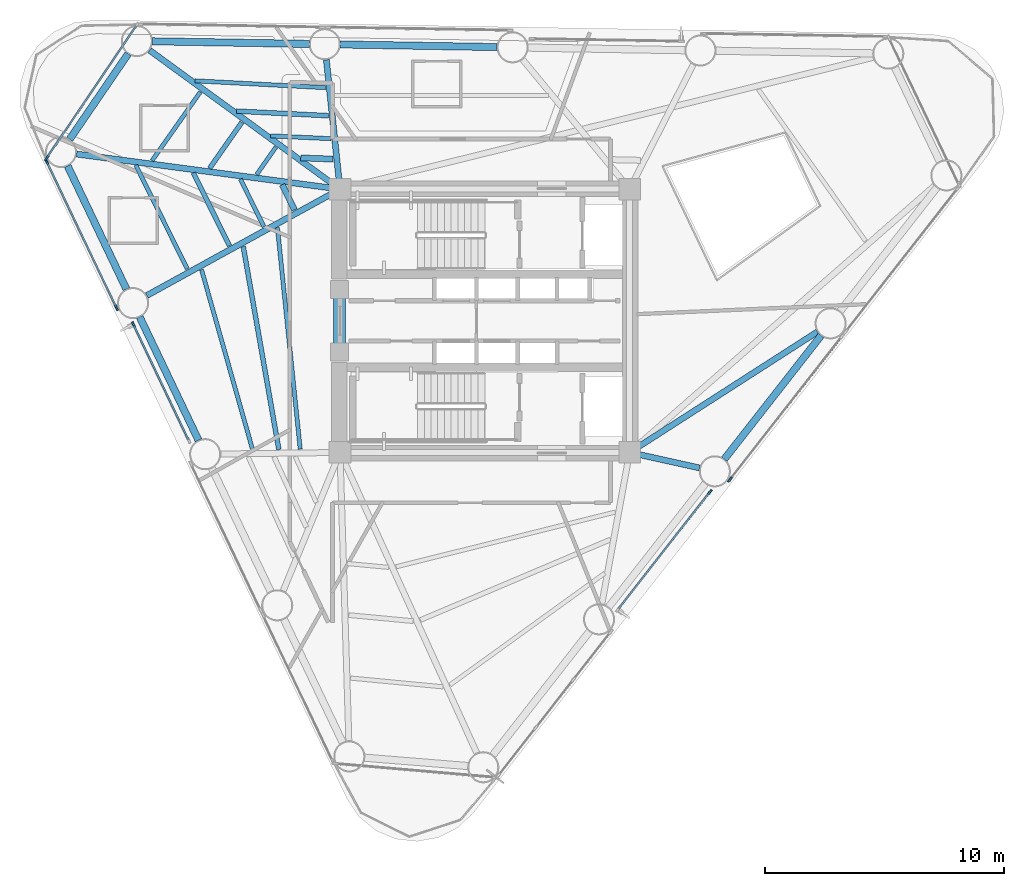
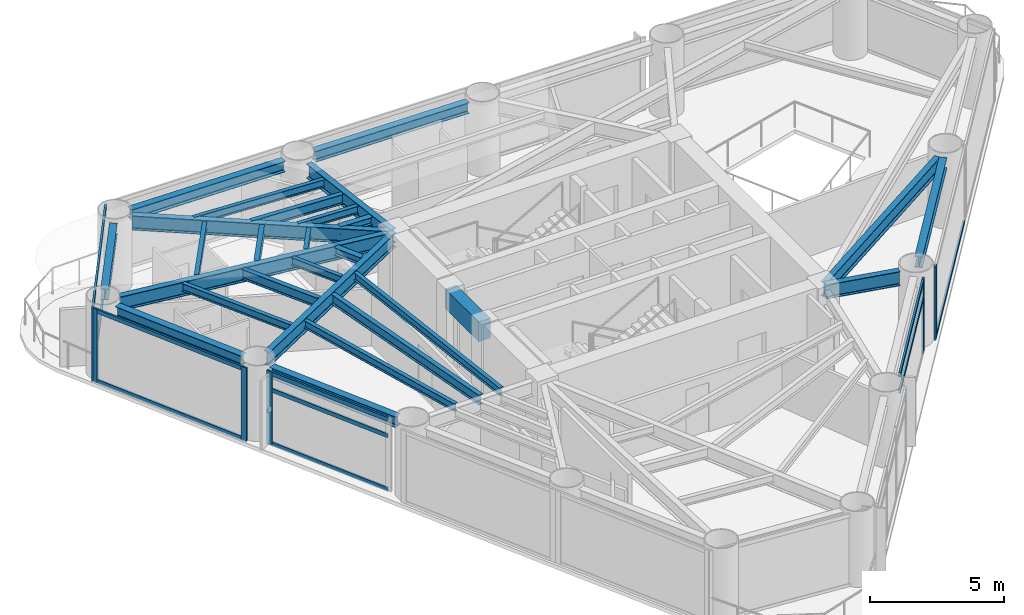
# One storey, part 3 of 10: 27 beams, 16 members, 5 elements without a shape of their own.
"""IFC4 building model written with IfcOpenShell, lengths in metres."""

from ifc_helpers import new_model, si_unit, direction, frame, origin, origin_2d, place, context, subcontext, project, spatial, rectangle, i_section, extrude, source, transform, mapped, material, layer, layer_set, material_profile, profile_set, type_object, element, aggregate, save


model = new_model("IFC4")

# Units and contexts
model_context = context("Model", 3, precision=1e-05, world=origin(), true_north=direction((0.0, 1.0)))
body_context = subcontext(model_context, "Body", "Model", "MODEL_VIEW")
ifc_project = project(units=[si_unit("LENGTHUNIT", "METRE"), si_unit("AREAUNIT", "SQUARE_METRE"), si_unit("VOLUMEUNIT", "CUBIC_METRE"), si_unit("PLANEANGLEUNIT", "RADIAN"), si_unit("MASSUNIT", "GRAM", prefix="KILO")], contexts=[model_context])

# Site, building, storey
site_placement = place(None, origin())
site = spatial("IfcSite", under=ifc_project, at=site_placement, CompositionType="ELEMENT")
building_placement = place(site_placement, origin())
building = spatial("IfcBuilding", under=site, at=building_placement, Name="Yunling Apex Tower", CompositionType="ELEMENT")
storey_placement = place(building_placement, frame((0.0, 0.0, 139.85009765625)))
storey = spatial("IfcBuildingStorey", under=building, at=storey_placement, Name="L34", CompositionType="ELEMENT", Elevation=139.85009765625)

# Beams
ifc_material_1 = material(Name="Concrete C50", Category="concrete")
ifc_material_profile_1 = material_profile(ifc_material_1, rectangle(XDim=0.5, YDim=0.89990234375, at=origin_2d()))
ifc_profile_set_1 = profile_set([ifc_material_profile_1], Name="Concrete C50")
beam_type_1 = type_object("IfcBeamType", Name="BC-CPL-2", PredefinedType="BEAM", material=ifc_profile_set_1)
shared_shape_1 = source(origin(), body_context, "Body", "SweptSolid", [
    extrude(rectangle(XDim=0.5, YDim=0.89990234375, at=origin_2d()), origin(), (0.0, 0.0, 1.0), 2.5),
])
beam_1_placement = place(storey_placement, frame((-6.074951171875, -1.25, 2.81982421875), z_axis=(0.0, 1.0, 0.0), x_axis=(-1.0, 0.0, 0.0)))
element("IfcBeam", 1, at=beam_1_placement, inside=storey, type_object=beam_type_1, Name="L34 Core West Portal Coupling Beam", PredefinedType="BEAM", context=body_context, shape_type="MappedRepresentation", body=[
    mapped(shared_shape_1, transform((0.0, 0.0, 0.0), scale=1.0)),
])
ifc_material_2 = material(Name="Steel Q355B", Category="steel")
ifc_material_profile_2 = material_profile(ifc_material_2, i_section(OverallWidth=0.300048828125, OverallDepth=0.489990234375, WebThickness=0.010986328125, FlangeThickness=0.01806640625, FilletRadius=0.02197265625, at=origin_2d()))
ifc_profile_set_2 = profile_set([ifc_material_profile_2], Name="Steel Q355B")
beam_type_2 = type_object("IfcBeamType", Name="BP-SPN-2", PredefinedType="SPANDREL", material=ifc_profile_set_2)
shared_shape_2 = source(origin(), body_context, "Body", "SweptSolid", [
    extrude(i_section(OverallWidth=0.300048828125, OverallDepth=0.489990234375, WebThickness=0.010986328125, FlangeThickness=0.01806640625, FilletRadius=0.02197265625, at=origin_2d()), origin(), (0.0, 0.0, 1.0), 6.562255859375),
])
beam_2_placement = place(storey_placement, frame((0.5166015625, 11.4375, 3.02490234375), z_axis=(-0.999859222118, 0.0167790329, 0.0), x_axis=(-0.0167790329, -0.999859222118, 0.0)))
element("IfcBeam", 2, at=beam_2_placement, inside=storey, type_object=beam_type_2, Name="L34 Perimeter Spandrel Beam 8", PredefinedType="SPANDREL", context=body_context, shape_type="MappedRepresentation", body=[
    mapped(shared_shape_2, transform((0.0, 0.0, 0.0), scale=1.0)),
])
shared_shape_3 = source(origin(), body_context, "Body", "SweptSolid", [
    extrude(i_section(OverallWidth=0.300048828125, OverallDepth=0.489990234375, WebThickness=0.010986328125, FlangeThickness=0.01806640625, FilletRadius=0.02197265625, at=origin_2d()), origin(), (0.0, 0.0, 1.0), 6.56201171875),
])
for number, where, z_axis, x_axis, name in (
    (3, (10.00732421875, -5.781982421875, 3.02490234375), (0.616233019323, 0.787563880518, 0.0), (-0.787563880518, 0.616233019323, 0.0), "L34 Perimeter Spandrel Beam 3"),
    (4, (-7.33251953125, 11.569091796875, 3.02490234375), (-0.999859211643, 0.016779657083, 0.0), (-0.016779657083, -0.999859211643, 0.0), "L34 Perimeter Spandrel Beam 9"),
):
    element("IfcBeam", number, at=place(storey_placement, frame(where, z_axis=z_axis, x_axis=x_axis)), inside=storey, type_object=beam_type_2, Name=name, PredefinedType="SPANDREL", context=body_context, shape_type="MappedRepresentation", body=[
        mapped(shared_shape_3, transform((0.0, 0.0, 0.0), scale=1.0)),
    ])
shared_shape_4 = source(origin(), body_context, "Body", "SweptSolid", [
    extrude(i_section(OverallWidth=0.300048828125, OverallDepth=0.489990234375, WebThickness=0.010986328125, FlangeThickness=0.01806640625, FilletRadius=0.02197265625, at=origin_2d()), origin(), (0.0, 0.0, 1.0), 4.328125),
])
beam_3_placement = place(storey_placement, frame((-14.901123046875, 11.158447265625, 3.02490234375), z_axis=(-0.564631339119, -0.825343232167, 0.0), x_axis=(0.825343232167, -0.564631339119, 0.0)))
element("IfcBeam", 5, at=beam_3_placement, inside=storey, type_object=beam_type_2, Name="L34 Perimeter Spandrel Beam 10", PredefinedType="SPANDREL", context=body_context, shape_type="MappedRepresentation", body=[
    mapped(shared_shape_4, transform((0.0, 0.0, 0.0), scale=1.0)),
])
shared_shape_5 = source(origin(), body_context, "Body", "SweptSolid", [
    extrude(i_section(OverallWidth=0.300048828125, OverallDepth=0.489990234375, WebThickness=0.010986328125, FlangeThickness=0.01806640625, FilletRadius=0.02197265625, at=origin_2d()), origin(), (0.0, 0.0, 1.0), 5.70751953125),
])
for number, where, z_axis, x_axis, name in (
    (6, (-17.431396484375, 6.473388671875, 3.02490234375), (0.430539541488, -0.902571716383, 0.0), (0.902571716383, 0.430539541488, 0.0), "L34 Perimeter Spandrel Beam 11"),
    (7, (-14.419677734375, 0.1591796875, 3.02490234375), (0.430539541488, -0.902571716383, 0.0), (0.902571716383, 0.430539541488, 0.0), "L34 Perimeter Spandrel Beam 12"),
):
    element("IfcBeam", number, at=place(storey_placement, frame(where, z_axis=z_axis, x_axis=x_axis)), inside=storey, type_object=beam_type_2, Name=name, PredefinedType="SPANDREL", context=body_context, shape_type="MappedRepresentation", body=[
        mapped(shared_shape_5, transform((0.0, 0.0, 0.0), scale=1.0)),
    ])
ifc_material_profile_3 = material_profile(ifc_material_2, i_section(OverallWidth=0.25, OverallDepth=0.64990234375, WebThickness=0.011962890625, FlangeThickness=0.02001953125, FilletRadius=0.02392578125, at=origin_2d()))
ifc_profile_set_3 = profile_set([ifc_material_profile_3], Name="Steel Q355B")
beam_type_3 = type_object("IfcBeamType", Name="BG-PRI-4", PredefinedType="USERDEFINED", material=ifc_profile_set_3)
shared_shape_6 = source(origin(), body_context, "Body", "SweptSolid", [
    extrude(i_section(OverallWidth=0.25, OverallDepth=0.64990234375, WebThickness=0.011962890625, FlangeThickness=0.02001953125, FilletRadius=0.02392578125, at=origin_2d()), origin(), (0.0, 0.0, 1.0), 2.908935546875),
])
beam_4_placement = place(storey_placement, frame((8.96826171875, -6.14697265625, 2.94482421875), z_axis=(-0.976295546219, 0.216441692917, 0.0), x_axis=(-0.216441692917, -0.976295546219, 0.0)))
element("IfcBeam", 8, at=beam_4_placement, inside=storey, type_object=beam_type_3, Name="L34 Radial Primary Girder R03", ObjectType="GIRDER", PredefinedType="USERDEFINED", context=body_context, shape_type="MappedRepresentation", body=[
    mapped(shared_shape_6, transform((0.0, 0.0, 0.0), scale=1.0)),
])
shared_shape_7 = source(origin(), body_context, "Body", "SweptSolid", [
    extrude(i_section(OverallWidth=0.25, OverallDepth=0.64990234375, WebThickness=0.011962890625, FlangeThickness=0.02001953125, FilletRadius=0.02392578125, at=origin_2d()), origin(), (0.0, 0.0, 1.0), 9.24267578125),
])
beam_5_placement = place(storey_placement, frame((13.894287109375, -0.46240234375, 2.94482421875), z_axis=(-0.841433276896, -0.540361027954, 0.0), x_axis=(0.540361027954, -0.841433276896, 0.0)))
element("IfcBeam", 9, at=beam_5_placement, inside=storey, type_object=beam_type_3, Name="L34 Radial Primary Girder R04", ObjectType="GIRDER", PredefinedType="USERDEFINED", context=body_context, shape_type="MappedRepresentation", body=[
    mapped(shared_shape_7, transform((0.0, 0.0, 0.0), scale=1.0)),
])
shared_shape_8 = source(origin(), body_context, "Body", "SweptSolid", [
    extrude(i_section(OverallWidth=0.25, OverallDepth=0.64990234375, WebThickness=0.011962890625, FlangeThickness=0.02001953125, FilletRadius=0.02392578125, at=origin_2d()), origin(), (0.0, 0.0, 1.0), 5.35400390625),
])
beam_6_placement = place(storey_placement, frame((-6.619384765625, 10.904052734375, 2.94482421875), z_axis=(0.104789227106, -0.99449445342, 0.0), x_axis=(0.99449445342, 0.104789227106, 0.0)))
element("IfcBeam", 10, at=beam_6_placement, inside=storey, type_object=beam_type_3, Name="L34 Radial Primary Girder R09", ObjectType="GIRDER", PredefinedType="USERDEFINED", context=body_context, shape_type="MappedRepresentation", body=[
    mapped(shared_shape_8, transform((0.0, 0.0, 0.0), scale=1.0)),
])
shared_shape_9 = source(origin(), body_context, "Body", "SweptSolid", [
    extrude(i_section(OverallWidth=0.25, OverallDepth=0.64990234375, WebThickness=0.011962890625, FlangeThickness=0.02001953125, FilletRadius=0.02392578125, at=origin_2d()), origin(), (0.0, 0.0, 1.0), 9.76708984375),
])
beam_7_placement = place(storey_placement, frame((-14.005859375, 11.30224609375, 2.94482421875), z_axis=(0.807958193343, -0.589239813497, 0.0), x_axis=(0.589239813497, 0.807958193343, 0.0)))
element("IfcBeam", 11, at=beam_7_placement, inside=storey, type_object=beam_type_3, Name="L34 Radial Primary Girder R10", ObjectType="GIRDER", PredefinedType="USERDEFINED", context=body_context, shape_type="MappedRepresentation", body=[
    mapped(shared_shape_9, transform((0.0, 0.0, 0.0), scale=1.0)),
])
shared_shape_10 = source(origin(), body_context, "Body", "SweptSolid", [
    extrude(i_section(OverallWidth=0.25, OverallDepth=0.64990234375, WebThickness=0.011962890625, FlangeThickness=0.02001953125, FilletRadius=0.02392578125, at=origin_2d()), origin(), (0.0, 0.0, 1.0), 11.023681640625),
])
beam_8_placement = place(storey_placement, frame((-17.056396484375, 6.9677734375, 2.94482421875), z_axis=(0.991223838358, -0.132194183952, 0.0), x_axis=(0.132194183952, 0.991223838358, 0.0)))
element("IfcBeam", 12, at=beam_8_placement, inside=storey, type_object=beam_type_3, Name="L34 Radial Primary Girder R11", ObjectType="GIRDER", PredefinedType="USERDEFINED", context=body_context, shape_type="MappedRepresentation", body=[
    mapped(shared_shape_10, transform((0.0, 0.0, 0.0), scale=1.0)),
])
shared_shape_11 = source(origin(), body_context, "Body", "SweptSolid", [
    extrude(i_section(OverallWidth=0.25, OverallDepth=0.64990234375, WebThickness=0.011962890625, FlangeThickness=0.02001953125, FilletRadius=0.02392578125, at=origin_2d()), origin(), (0.0, 0.0, 1.0), 9.132080078125),
])
beam_9_placement = place(storey_placement, frame((-14.120361328125, 1.057861328125, 2.94482421875), z_axis=(0.876057251214, 0.482207105501, 0.0), x_axis=(-0.482207105501, 0.876057251214, 0.0)))
element("IfcBeam", 13, at=beam_9_placement, inside=storey, type_object=beam_type_3, Name="L34 Radial Primary Girder R12", ObjectType="GIRDER", PredefinedType="USERDEFINED", context=body_context, shape_type="MappedRepresentation", body=[
    mapped(shared_shape_11, transform((0.0, 0.0, 0.0), scale=1.0)),
])
ifc_material_profile_4 = material_profile(ifc_material_2, i_section(OverallWidth=0.199951171875, OverallDepth=0.449951171875, WebThickness=0.009033203125, FlangeThickness=0.013916015625, FilletRadius=0.01806640625, at=origin_2d()))
ifc_profile_set_4 = profile_set([ifc_material_profile_4], Name="Steel Q355B")
beam_type_4 = type_object("IfcBeamType", Name="BS-SEC-3", PredefinedType="BEAM", material=ifc_profile_set_4)
shared_shape_12 = source(origin(), body_context, "Body", "SweptSolid", [
    extrude(i_section(OverallWidth=0.199951171875, OverallDepth=0.449951171875, WebThickness=0.009033203125, FlangeThickness=0.013916015625, FilletRadius=0.01806640625, at=origin_2d()), origin(), (0.0, 0.0, 1.0), 3.84619140625),
])
beam_10_placement = place(storey_placement, frame((-6.532470703125, 8.5693359375, 3.044921875), z_axis=(-0.998745046624, 0.050083249128, 0.0), x_axis=(-0.050083249128, -0.998745046624, 0.0)))
element("IfcBeam", 14, at=beam_10_placement, inside=storey, type_object=beam_type_4, Name="L34 Composite Floor Beam BS-9", PredefinedType="BEAM", context=body_context, shape_type="MappedRepresentation", body=[
    mapped(shared_shape_12, transform((0.0, 0.0, 0.0), scale=1.0)),
])
ifc_material_profile_5 = material_profile(ifc_material_2, i_section(OverallWidth=0.175048828125, OverallDepth=0.35009765625, WebThickness=0.007080078125, FlangeThickness=0.010986328125, FilletRadius=0.013916015625, at=origin_2d()))
ifc_profile_set_5 = profile_set([ifc_material_profile_5], Name="Steel Q355B")
beam_type_5 = type_object("IfcBeamType", Name="BJ-JST-1", PredefinedType="JOIST", material=ifc_profile_set_5)
shared_shape_13 = source(origin(), body_context, "Body", "SweptSolid", [
    extrude(i_section(OverallWidth=0.175048828125, OverallDepth=0.35009765625, WebThickness=0.007080078125, FlangeThickness=0.010986328125, FilletRadius=0.013916015625, at=origin_2d()), origin(), (0.0, 0.0, 1.0), 5.4619140625),
])
beam_11_placement = place(storey_placement, frame((-6.65576171875, 9.740966796875, 3.094970703125), z_axis=(-0.998619804272, 0.052521295825, 0.0), x_axis=(-0.052521295825, -0.998619804272, 0.0)))
element("IfcBeam", 15, at=beam_11_placement, inside=storey, type_object=beam_type_5, Name="L34 Composite Floor Joist BJ1-9", PredefinedType="JOIST", context=body_context, shape_type="MappedRepresentation", body=[
    mapped(shared_shape_13, transform((0.0, 0.0, 0.0), scale=1.0)),
])
shared_shape_14 = source(origin(), body_context, "Body", "SweptSolid", [
    extrude(i_section(OverallWidth=0.175048828125, OverallDepth=0.35009765625, WebThickness=0.007080078125, FlangeThickness=0.010986328125, FilletRadius=0.013916015625, at=origin_2d()), origin(), (0.0, 0.0, 1.0), 2.52490234375),
])
beam_12_placement = place(storey_placement, frame((-6.431396484375, 7.6103515625, 3.094970703125), z_axis=(-0.998935787548, 0.046122579679, 0.0), x_axis=(-0.046122579679, -0.998935787548, 0.0)))
element("IfcBeam", 16, at=beam_12_placement, inside=storey, type_object=beam_type_5, Name="L34 Composite Floor Joist BJ3-9", PredefinedType="JOIST", context=body_context, shape_type="MappedRepresentation", body=[
    mapped(shared_shape_14, transform((0.0, 0.0, 0.0), scale=1.0)),
])
ifc_material_profile_6 = material_profile(ifc_material_2, i_section(OverallWidth=0.25, OverallDepth=0.340087890625, WebThickness=0.009033203125, FlangeThickness=0.013916015625, FilletRadius=0.01806640625, at=origin_2d()))
ifc_profile_set_6 = profile_set([ifc_material_profile_6], Name="Steel Q355B")
beam_type_6 = type_object("IfcBeamType", Name="BJ-JST-2", PredefinedType="JOIST", material=ifc_profile_set_6)
shared_shape_15 = source(origin(), body_context, "Body", "SweptSolid", [
    extrude(i_section(OverallWidth=0.25, OverallDepth=0.340087890625, WebThickness=0.009033203125, FlangeThickness=0.013916015625, FilletRadius=0.01806640625, at=origin_2d()), origin(), (0.0, 0.0, 1.0), 1.35009765625),
])
beam_13_placement = place(storey_placement, frame((-6.341796875, 6.7568359375, 3.099853515625), z_axis=(-0.999299138543, 0.03743302962, 0.0), x_axis=(-0.03743302962, -0.999299138543, 0.0)))
element("IfcBeam", 17, at=beam_13_placement, inside=storey, type_object=beam_type_6, Name="L34 Composite Floor Joist BJ2-9", PredefinedType="JOIST", context=body_context, shape_type="MappedRepresentation", body=[
    mapped(shared_shape_15, transform((0.0, 0.0, 0.0), scale=1.0)),
])
shared_shape_16 = source(origin(), body_context, "Body", "SweptSolid", [
    extrude(i_section(OverallWidth=0.199951171875, OverallDepth=0.449951171875, WebThickness=0.009033203125, FlangeThickness=0.013916015625, FilletRadius=0.01806640625, at=origin_2d()), origin(), (0.0, 0.0, 1.0), 2.349365234375),
])
beam_14_placement = place(storey_placement, frame((-10.152099609375, 8.293701171875, 3.044921875), z_axis=(-0.574138652216, -0.818758088834, 0.0), x_axis=(0.818758088834, -0.574138652216, 0.0)))
element("IfcBeam", 18, at=beam_14_placement, inside=storey, type_object=beam_type_4, Name="L34 Composite Floor Beam BS-10", PredefinedType="BEAM", context=body_context, shape_type="MappedRepresentation", body=[
    mapped(shared_shape_16, transform((0.0, 0.0, 0.0), scale=1.0)),
])
shared_shape_17 = source(origin(), body_context, "Body", "SweptSolid", [
    extrude(i_section(OverallWidth=0.175048828125, OverallDepth=0.35009765625, WebThickness=0.007080078125, FlangeThickness=0.010986328125, FilletRadius=0.013916015625, at=origin_2d()), origin(), (0.0, 0.0, 1.0), 3.5068359375),
])
beam_15_placement = place(storey_placement, frame((-11.88818359375, 9.559814453125, 3.094970703125), z_axis=(-0.575031163817, -0.818131505712, 0.0), x_axis=(0.818131505712, -0.575031163817, 0.0)))
element("IfcBeam", 19, at=beam_15_placement, inside=storey, type_object=beam_type_5, Name="L34 Composite Floor Joist BJ1-10", PredefinedType="JOIST", context=body_context, shape_type="MappedRepresentation", body=[
    mapped(shared_shape_17, transform((0.0, 0.0, 0.0), scale=1.0)),
])
shared_shape_18 = source(origin(), body_context, "Body", "SweptSolid", [
    extrude(i_section(OverallWidth=0.175048828125, OverallDepth=0.35009765625, WebThickness=0.007080078125, FlangeThickness=0.010986328125, FilletRadius=0.013916015625, at=origin_2d()), origin(), (0.0, 0.0, 1.0), 1.40185546875),
])
beam_16_placement = place(storey_placement, frame((-8.7314453125, 7.257568359375, 3.094970703125), z_axis=(-0.572573774169, -0.819853202186, 0.0), x_axis=(0.819853202186, -0.572573774169, 0.0)))
element("IfcBeam", 20, at=beam_16_placement, inside=storey, type_object=beam_type_5, Name="L34 Composite Floor Joist BJ3-10", PredefinedType="JOIST", context=body_context, shape_type="MappedRepresentation", body=[
    mapped(shared_shape_18, transform((0.0, 0.0, 0.0), scale=1.0)),
])
shared_shape_19 = source(origin(), body_context, "Body", "SweptSolid", [
    extrude(i_section(OverallWidth=0.199951171875, OverallDepth=0.449951171875, WebThickness=0.009033203125, FlangeThickness=0.013916015625, FilletRadius=0.01806640625, at=origin_2d()), origin(), (0.0, 0.0, 1.0), 3.396484375),
])
beam_17_placement = place(storey_placement, frame((-12.177490234375, 6.18310546875, 3.044921875), z_axis=(0.443500732864, -0.896274009413, 0.0), x_axis=(0.896274009413, 0.443500732864, 0.0)))
element("IfcBeam", 21, at=beam_17_placement, inside=storey, type_object=beam_type_4, Name="L34 Composite Floor Beam BS-11", PredefinedType="BEAM", context=body_context, shape_type="MappedRepresentation", body=[
    mapped(shared_shape_19, transform((0.0, 0.0, 0.0), scale=1.0)),
])
shared_shape_20 = source(origin(), body_context, "Body", "SweptSolid", [
    extrude(i_section(OverallWidth=0.175048828125, OverallDepth=0.35009765625, WebThickness=0.007080078125, FlangeThickness=0.010986328125, FilletRadius=0.013916015625, at=origin_2d()), origin(), (0.0, 0.0, 1.0), 4.837890625),
])
beam_18_placement = place(storey_placement, frame((-14.581298828125, 6.50390625, 3.094970703125), z_axis=(0.444385383115, -0.895835716677, 0.0), x_axis=(0.895835716677, 0.444385383115, 0.0)))
element("IfcBeam", 22, at=beam_18_placement, inside=storey, type_object=beam_type_5, Name="L34 Composite Floor Joist BJ1-11", PredefinedType="JOIST", context=body_context, shape_type="MappedRepresentation", body=[
    mapped(shared_shape_20, transform((0.0, 0.0, 0.0), scale=1.0)),
])
shared_shape_21 = source(origin(), body_context, "Body", "SweptSolid", [
    extrude(i_section(OverallWidth=0.175048828125, OverallDepth=0.35009765625, WebThickness=0.007080078125, FlangeThickness=0.010986328125, FilletRadius=0.013916015625, at=origin_2d()), origin(), (0.0, 0.0, 1.0), 2.217529296875),
])
beam_19_placement = place(storey_placement, frame((-10.2109375, 5.9208984375, 3.094970703125), z_axis=(0.441921230905, -0.897053858848, 0.0), x_axis=(0.897053858848, 0.441921230905, 0.0)))
element("IfcBeam", 23, at=beam_19_placement, inside=storey, type_object=beam_type_5, Name="L34 Composite Floor Joist BJ3-11", PredefinedType="JOIST", context=body_context, shape_type="MappedRepresentation", body=[
    mapped(shared_shape_21, transform((0.0, 0.0, 0.0), scale=1.0)),
])
shared_shape_22 = source(origin(), body_context, "Body", "SweptSolid", [
    extrude(i_section(OverallWidth=0.25, OverallDepth=0.340087890625, WebThickness=0.009033203125, FlangeThickness=0.013916015625, FilletRadius=0.01806640625, at=origin_2d()), origin(), (0.0, 0.0, 1.0), 1.16943359375),
])
beam_20_placement = place(storey_placement, frame((-8.463134765625, 5.6875, 3.099853515625), z_axis=(0.438592252634, -0.898686172103, 0.0), x_axis=(0.898686172103, 0.438592252634, 0.0)))
element("IfcBeam", 24, at=beam_20_placement, inside=storey, type_object=beam_type_6, Name="L34 Composite Floor Joist BJ2-11", PredefinedType="JOIST", context=body_context, shape_type="MappedRepresentation", body=[
    mapped(shared_shape_22, transform((0.0, 0.0, 0.0), scale=1.0)),
])
shared_shape_23 = source(origin(), body_context, "Body", "SweptSolid", [
    extrude(i_section(OverallWidth=0.199951171875, OverallDepth=0.449951171875, WebThickness=0.009033203125, FlangeThickness=0.013916015625, FilletRadius=0.01806640625, at=origin_2d()), origin(), (0.0, 0.0, 1.0), 8.60693359375),
])
beam_21_placement = place(storey_placement, frame((-10.092529296875, 3.10205078125, 3.044921875), z_axis=(0.172691332669, -0.984975991393, 0.0), x_axis=(0.984975991393, 0.172691332669, 0.0)))
element("IfcBeam", 25, at=beam_21_placement, inside=storey, type_object=beam_type_4, Name="L34 Composite Floor Beam BS-12", PredefinedType="BEAM", context=body_context, shape_type="MappedRepresentation", body=[
    mapped(shared_shape_23, transform((0.0, 0.0, 0.0), scale=1.0)),
])
shared_shape_24 = source(origin(), body_context, "Body", "SweptSolid", [
    extrude(i_section(OverallWidth=0.175048828125, OverallDepth=0.35009765625, WebThickness=0.007080078125, FlangeThickness=0.010986328125, FilletRadius=0.013916015625, at=origin_2d()), origin(), (0.0, 0.0, 1.0), 7.82763671875),
])
beam_22_placement = place(storey_placement, frame((-11.836669921875, 2.136962890625, 3.094970703125), z_axis=(0.273002905438, -0.962013208653, 0.0), x_axis=(0.962013208653, 0.273002905438, 0.0)))
element("IfcBeam", 26, at=beam_22_placement, inside=storey, type_object=beam_type_5, Name="L34 Composite Floor Joist BJ1-12", PredefinedType="JOIST", context=body_context, shape_type="MappedRepresentation", body=[
    mapped(shared_shape_24, transform((0.0, 0.0, 0.0), scale=1.0)),
])
shared_shape_25 = source(origin(), body_context, "Body", "SweptSolid", [
    extrude(i_section(OverallWidth=0.175048828125, OverallDepth=0.35009765625, WebThickness=0.007080078125, FlangeThickness=0.010986328125, FilletRadius=0.013916015625, at=origin_2d()), origin(), (0.0, 0.0, 1.0), 9.303955078125),
])
beam_23_placement = place(storey_placement, frame((-8.663818359375, 3.89306640625, 3.094970703125), z_axis=(0.102153373674, -0.994768660668, 0.0), x_axis=(0.994768660668, 0.102153373674, 0.0)))
element("IfcBeam", 27, at=beam_23_placement, inside=storey, type_object=beam_type_5, Name="L34 Composite Floor Joist BJ3-12", PredefinedType="JOIST", context=body_context, shape_type="MappedRepresentation", body=[
    mapped(shared_shape_25, transform((0.0, 0.0, 0.0), scale=1.0)),
])

# Curtain wall, members
ifc_material_3 = material(Name="Bronze anodised aluminium", Category="aluminium")
ifc_layer = layer(ifc_material_3, 0.239990234375)
ifc_layer_set = layer_set([ifc_layer], Name="Bronze anodised aluminium")
curtain_wall_type = type_object("IfcCurtainWallType", Name="CW-SYS-3", PredefinedType="NOTDEFINED", material=ifc_layer_set)
curtain_wall_1_placement = place(storey_placement, origin())
curtain_wall_1 = element("IfcCurtainWall", 28, at=curtain_wall_1_placement, inside=storey, type_object=curtain_wall_type, Name="CW-L34-F1-B2", PredefinedType="NOTDEFINED")
ifc_material_profile_7 = material_profile(ifc_material_3, rectangle(XDim=0.080078125, YDim=0.18505859375, at=origin_2d()))
ifc_profile_set_7 = profile_set([ifc_material_profile_7], Name="Bronze anodised aluminium")
member_type_1 = type_object("IfcMemberType", Name="CW-TRN-3", PredefinedType="USERDEFINED", material=ifc_profile_set_7)
shared_shape_26 = source(origin(), body_context, "Body", "SweptSolid", [
    extrude(rectangle(XDim=0.080078125, YDim=0.18505859375, at=origin_2d()), origin(), (0.0, 0.0, 1.0), 6.158203125),
])
member_1_placement = place(storey_placement, frame((5.5859375, -12.03369140625, 2.485107421875), z_axis=(0.616202427613, 0.787587816185, 0.0), x_axis=(-0.787587816185, 0.616202427613, 0.0)))
member_1 = element("IfcMember", 29, at=member_1_placement, type_object=member_type_1, Name="CW-SYS-3 transom 1.2", ObjectType="TRANSOM", PredefinedType="USERDEFINED", context=body_context, shape_type="MappedRepresentation", body=[
    mapped(shared_shape_26, transform((0.0, 0.0, 0.0), scale=1.0)),
])
member_2_placement = place(storey_placement, frame((5.5859375, -12.03369140625, 3.22998046875), z_axis=(0.616202427613, 0.787587816185, 0.0), x_axis=(-0.787587816185, 0.616202427613, 0.0)))
member_2 = element("IfcMember", 30, at=member_2_placement, type_object=member_type_1, Name="CW-SYS-3 transom 1.3", ObjectType="TRANSOM", PredefinedType="USERDEFINED", context=body_context, shape_type="MappedRepresentation", body=[
    mapped(shared_shape_26, transform((0.0, 0.0, 0.0), scale=1.0)),
])

# Curtain wall, member
curtain_wall_2_placement = place(storey_placement, origin())
curtain_wall_2 = element("IfcCurtainWall", 31, at=curtain_wall_2_placement, inside=storey, type_object=curtain_wall_type, Name="CW-L34-F1-B3", PredefinedType="NOTDEFINED")
shared_shape_27 = source(origin(), body_context, "Body", "SweptSolid", [
    extrude(rectangle(XDim=0.080078125, YDim=0.18505859375, at=origin_2d()), origin(), (0.0, 0.0, 1.0), 7.5380859375),
])
member_3_placement = place(storey_placement, frame((10.265869140625, -6.603759765625, 0.039794921875), z_axis=(0.616213940974, 0.787578808088, 0.0), x_axis=(-0.787578808088, 0.616213940974, 0.0)))
member_3 = element("IfcMember", 32, at=member_3_placement, type_object=member_type_1, Name="CW-SYS-3 transom 1.1", ObjectType="TRANSOM", PredefinedType="USERDEFINED", context=body_context, shape_type="MappedRepresentation", body=[
    mapped(shared_shape_27, transform((0.0, 0.0, 0.0), scale=1.0)),
])

# Curtain wall, members
curtain_wall_3_placement = place(storey_placement, origin())
curtain_wall_3 = element("IfcCurtainWall", 33, at=curtain_wall_3_placement, inside=storey, type_object=curtain_wall_type, Name="CW-L34-CRN2", PredefinedType="NOTDEFINED")
shared_shape_28 = source(origin(), body_context, "Body", "SweptSolid", [
    extrude(rectangle(XDim=0.080078125, YDim=0.18505859375, at=origin_2d()), origin(), (0.0, 0.0, 1.0), 6.63671875),
])
member_4_placement = place(storey_placement, frame((-14.568603515625, 12.31689453125, 0.039794921875), z_axis=(-0.560543901892, -0.828124709239, 0.0), x_axis=(0.828124709239, -0.560543901892, 0.0)))
member_4 = element("IfcMember", 34, at=member_4_placement, type_object=member_type_1, Name="CW-SYS-3 transom 1.1", ObjectType="TRANSOM", PredefinedType="USERDEFINED", context=body_context, shape_type="MappedRepresentation", body=[
    mapped(shared_shape_28, transform((0.0, 0.0, 0.0), scale=1.0)),
])
member_5_placement = place(storey_placement, frame((-14.568603515625, 12.31689453125, 3.22998046875), z_axis=(-0.560543901892, -0.828124709239, 0.0), x_axis=(0.828124709239, -0.560543901892, 0.0)))
member_5 = element("IfcMember", 35, at=member_5_placement, type_object=member_type_1, Name="CW-SYS-3 transom 1.2", ObjectType="TRANSOM", PredefinedType="USERDEFINED", context=body_context, shape_type="MappedRepresentation", body=[
    mapped(shared_shape_28, transform((0.0, 0.0, 0.0), scale=1.0)),
])

curtain_wall_4_placement = place(storey_placement, origin())
curtain_wall_4 = element("IfcCurtainWall", 36, at=curtain_wall_4_placement, inside=storey, type_object=curtain_wall_type, Name="CW-L34-F3-B1", PredefinedType="NOTDEFINED")
shared_shape_29 = source(origin(), body_context, "Body", "SweptSolid", [
    extrude(rectangle(XDim=0.080078125, YDim=0.18505859375, at=origin_2d()), origin(), (0.0, 0.0, 1.0), 6.683837890625),
])
member_6_placement = place(storey_placement, frame((-18.2822265625, 6.6083984375, 0.039794921875), z_axis=(0.430509150299, -0.902586212785, 0.0), x_axis=(0.902586212785, 0.430509150299, 0.0)))
member_6 = element("IfcMember", 37, at=member_6_placement, type_object=member_type_1, Name="CW-SYS-3 transom 1.1", ObjectType="TRANSOM", PredefinedType="USERDEFINED", context=body_context, shape_type="MappedRepresentation", body=[
    mapped(shared_shape_29, transform((0.0, 0.0, 0.0), scale=1.0)),
])
member_7_placement = place(storey_placement, frame((-18.2822265625, 6.6083984375, 3.22998046875), z_axis=(0.430509150299, -0.902586212785, 0.0), x_axis=(0.902586212785, 0.430509150299, 0.0)))
member_7 = element("IfcMember", 38, at=member_7_placement, type_object=member_type_1, Name="CW-SYS-3 transom 1.2", ObjectType="TRANSOM", PredefinedType="USERDEFINED", context=body_context, shape_type="MappedRepresentation", body=[
    mapped(shared_shape_29, transform((0.0, 0.0, 0.0), scale=1.0)),
])

curtain_wall_5_placement = place(storey_placement, origin())
curtain_wall_5 = element("IfcCurtainWall", 39, at=curtain_wall_5_placement, inside=storey, type_object=curtain_wall_type, Name="CW-L34-F3-B2", PredefinedType="NOTDEFINED")
shared_shape_30 = source(origin(), body_context, "Body", "SweptSolid", [
    extrude(rectangle(XDim=0.080078125, YDim=0.18505859375, at=origin_2d()), origin(), (0.0, 0.0, 1.0), 5.303466796875),
])
member_8_placement = place(storey_placement, frame((-14.66650390625, -0.182373046875, 0.039794921875), z_axis=(0.43050887408, -0.902586344534, 0.0), x_axis=(0.902586344534, 0.43050887408, 0.0)))
member_8 = element("IfcMember", 40, at=member_8_placement, type_object=member_type_1, Name="CW-SYS-3 transom 1.1", ObjectType="TRANSOM", PredefinedType="USERDEFINED", context=body_context, shape_type="MappedRepresentation", body=[
    mapped(shared_shape_30, transform((0.0, 0.0, 0.0), scale=1.0)),
])
member_9_placement = place(storey_placement, frame((-14.66650390625, -0.182373046875, 2.485107421875), z_axis=(0.43050887408, -0.902586344534, 0.0), x_axis=(0.902586344534, 0.43050887408, 0.0)))
member_9 = element("IfcMember", 41, at=member_9_placement, type_object=member_type_1, Name="CW-SYS-3 transom 1.2", ObjectType="TRANSOM", PredefinedType="USERDEFINED", context=body_context, shape_type="MappedRepresentation", body=[
    mapped(shared_shape_30, transform((0.0, 0.0, 0.0), scale=1.0)),
])
member_10_placement = place(storey_placement, frame((-14.66650390625, -0.182373046875, 3.22998046875), z_axis=(0.43050887408, -0.902586344534, 0.0), x_axis=(0.902586344534, 0.43050887408, 0.0)))
member_10 = element("IfcMember", 42, at=member_10_placement, type_object=member_type_1, Name="CW-SYS-3 transom 1.3", ObjectType="TRANSOM", PredefinedType="USERDEFINED", context=body_context, shape_type="MappedRepresentation", body=[
    mapped(shared_shape_30, transform((0.0, 0.0, 0.0), scale=1.0)),
])

# Member
ifc_material_profile_8 = material_profile(ifc_material_3, rectangle(XDim=0.080078125, YDim=0.239990234375, at=origin_2d()))
ifc_profile_set_8 = profile_set([ifc_material_profile_8], Name="Bronze anodised aluminium")
member_type_2 = type_object("IfcMemberType", Name="CW-MUL-3", PredefinedType="MULLION", material=ifc_profile_set_8)
shared_shape_31 = source(origin(), body_context, "Body", "SweptSolid", [
    extrude(rectangle(XDim=0.080078125, YDim=0.239990234375, at=origin_2d()), origin(), (0.0, 0.0, 1.0), 3.369873046875),
])
member_11_placement = place(storey_placement, frame((9.40283203125, -7.1552734375, -0.050048828125), z_axis=(0.0, 0.0, 1.0), x_axis=(-0.787590269126, 0.616199292419, 0.0)))
member_11 = element("IfcMember", 43, at=member_11_placement, type_object=member_type_2, Name="CW-SYS-3 mullion 2", PredefinedType="MULLION", context=body_context, shape_type="MappedRepresentation", body=[
    mapped(shared_shape_31, transform((0.0, 0.0, 0.0), scale=1.0)),
])

aggregate(curtain_wall_1, [member_11, member_1, member_2])

member_12_placement = place(storey_placement, frame((10.24365234375, -6.632080078125, -0.050048828125), z_axis=(0.0, 0.0, 1.0), x_axis=(-0.787583748686, 0.616207626377, 0.0)))
member_12 = element("IfcMember", 44, at=member_12_placement, type_object=member_type_2, Name="CW-SYS-3 mullion 1", PredefinedType="MULLION", context=body_context, shape_type="MappedRepresentation", body=[
    mapped(shared_shape_31, transform((0.0, 0.0, 0.0), scale=1.0)),
])

aggregate(curtain_wall_2, [member_12, member_3])

member_13_placement = place(storey_placement, frame((-18.308837890625, 6.791015625, -0.050048828125), z_axis=(0.0, 0.0, 1.0), x_axis=(0.82813882115, -0.560523052964, 0.0)))
member_13 = element("IfcMember", 45, at=member_13_placement, type_object=member_type_2, Name="CW-SYS-3 mullion 2", PredefinedType="MULLION", context=body_context, shape_type="MappedRepresentation", body=[
    mapped(shared_shape_31, transform((0.0, 0.0, 0.0), scale=1.0)),
])

aggregate(curtain_wall_3, [member_13, member_4, member_5])

member_14_placement = place(storey_placement, frame((-18.297607421875, 6.640869140625, -0.050048828125), z_axis=(0.0, 0.0, 1.0), x_axis=(0.902587765133, 0.4305058957, 0.0)))
member_14 = element("IfcMember", 46, at=member_14_placement, type_object=member_type_2, Name="CW-SYS-3 mullion 1", PredefinedType="MULLION", context=body_context, shape_type="MappedRepresentation", body=[
    mapped(shared_shape_31, transform((0.0, 0.0, 0.0), scale=1.0)),
])

member_15_placement = place(storey_placement, frame((-15.389404296875, 0.543212890625, -0.050048828125), z_axis=(0.0, 0.0, 1.0), x_axis=(0.902587765133, 0.4305058957, 0.0)))
member_15 = element("IfcMember", 47, at=member_15_placement, type_object=member_type_2, Name="CW-SYS-3 mullion 2", PredefinedType="MULLION", context=body_context, shape_type="MappedRepresentation", body=[
    mapped(shared_shape_31, transform((0.0, 0.0, 0.0), scale=1.0)),
])

aggregate(curtain_wall_4, [member_14, member_15, member_6, member_7])

member_16_placement = place(storey_placement, frame((-14.68212890625, -0.14990234375, -0.050048828125), z_axis=(0.0, 0.0, 1.0), x_axis=(0.902579794247, 0.430522606859, 0.0)))
member_16 = element("IfcMember", 48, at=member_16_placement, type_object=member_type_2, Name="CW-SYS-3 mullion 1", PredefinedType="MULLION", context=body_context, shape_type="MappedRepresentation", body=[
    mapped(shared_shape_31, transform((0.0, 0.0, 0.0), scale=1.0)),
])

aggregate(curtain_wall_5, [member_16, member_8, member_9, member_10])

save(model, "model.ifc")
